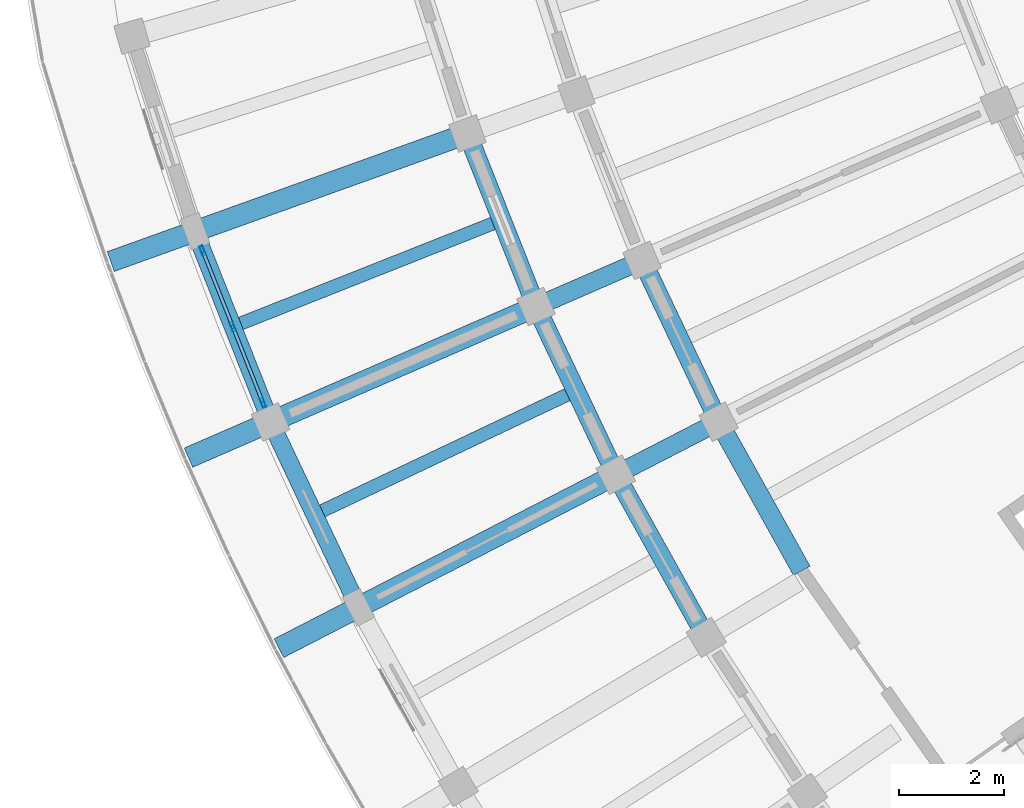
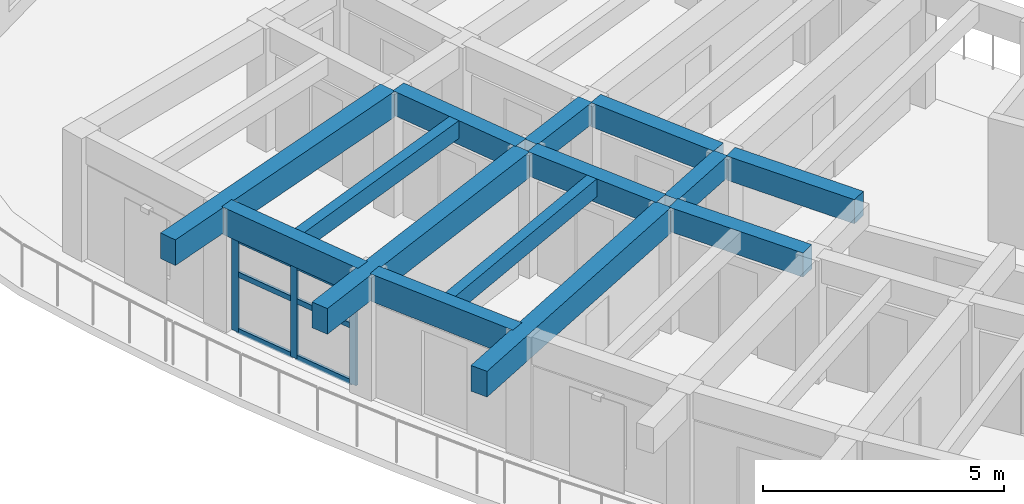
# One storey, part 7 of 81: 14 beams, 9 members, 1 element without a shape of its own.
"""IFC4 building model written with IfcOpenShell, lengths in metres."""

from ifc_helpers import new_model, si_unit, direction, frame, origin, origin_2d, place, context, subcontext, project, spatial, rectangle, hollow_rectangle, extrude, material, material_profile, profile_set, type_object, element, aggregate, save


model = new_model("IFC4")

# Units and contexts
model_context = context("Model", 3, precision=1e-05, world=origin(), true_north=direction((0.0, 1.0)))
body_context = subcontext(model_context, "Body", "Model", "MODEL_VIEW")
ifc_project = project(units=[si_unit("LENGTHUNIT", "METRE"), si_unit("AREAUNIT", "SQUARE_METRE"), si_unit("VOLUMEUNIT", "CUBIC_METRE"), si_unit("PLANEANGLEUNIT", "RADIAN"), si_unit("MASSUNIT", "GRAM", prefix="KILO")], contexts=[model_context])

# Site, building, storey
site_placement = place(None, origin())
site = spatial("IfcSite", under=ifc_project, at=site_placement, CompositionType="ELEMENT")
building_placement = place(site_placement, origin())
building = spatial("IfcBuilding", under=site, at=building_placement, Name="Tanwirah Colonnade Gardens", CompositionType="ELEMENT")
storey_placement = place(building_placement, frame((0.0, 0.0, 18.919921875)))
storey = spatial("IfcBuildingStorey", under=building, at=storey_placement, Name="L05", CompositionType="ELEMENT", Elevation=18.919921875)

# Beams
ifc_material_1 = material(Name="Precast concrete C40/50", Category="concrete")
ifc_material_profile_1 = material_profile(ifc_material_1, rectangle(XDim=0.360107421875, YDim=0.610107421875, at=origin_2d()), Name="PC-BM 360x610")
ifc_profile_set_1 = profile_set([ifc_material_profile_1], Name="Precast concrete C40/50")
beam_type_1 = type_object("IfcBeamType", Name="BM-PC300", PredefinedType="BEAM", material=ifc_profile_set_1)
beam_1_placement = place(storey_placement, frame((14.184814453125, 46.09619140625, 2.80517578125), z_axis=(0.368527954052, -0.929616666741, 0.0), x_axis=(0.929616666741, 0.368527954052, 0.0)))
element("IfcBeam", 1, at=beam_1_placement, inside=storey, type_object=beam_type_1, Name="Block C L05 Circumferential Beam 1-R2", PredefinedType="BEAM", context=body_context, shape_type="SweptSolid", body=[
    extrude(rectangle(XDim=0.360107421875, YDim=0.610107421875, at=origin_2d()), origin(), (0.0, 0.0, 1.0), 3.23681640625),
])
beam_2_placement = place(storey_placement, frame((17.5146484375, 43.689453125, 2.80517578125), z_axis=(0.428520598641, -0.903532011907, 0.0), x_axis=(0.903532011907, 0.428520598641, 0.0)))
element("IfcBeam", 2, at=beam_2_placement, inside=storey, type_object=beam_type_1, Name="Block C L05 Circumferential Beam 2-R1", PredefinedType="BEAM", context=body_context, shape_type="SweptSolid", body=[
    extrude(rectangle(XDim=0.360107421875, YDim=0.610107421875, at=origin_2d()), origin(), (0.0, 0.0, 1.0), 3.093017578125),
])
beam_3_placement = place(storey_placement, frame((15.4970703125, 42.81201171875, 2.80517578125), z_axis=(0.428562893949, -0.903511951183, 0.0), x_axis=(0.903511951183, 0.428562893949, 0.0)))
element("IfcBeam", 3, at=beam_3_placement, inside=storey, type_object=beam_type_1, Name="Block C L05 Circumferential Beam 2-R2", PredefinedType="BEAM", context=body_context, shape_type="SweptSolid", body=[
    extrude(rectangle(XDim=0.360107421875, YDim=0.610107421875, at=origin_2d()), origin(), (0.0, 0.0, 1.0), 3.23681640625),
])
beam_4_placement = place(storey_placement, frame((18.9775390625, 40.628173828125, 2.80517578125), z_axis=(0.486708181837, -0.873564620239, 0.0), x_axis=(0.873564620239, 0.486708181837, 0.0)))
element("IfcBeam", 4, at=beam_4_placement, inside=storey, type_object=beam_type_1, Name="Block C L05 Circumferential Beam 3-R1", PredefinedType="BEAM", context=body_context, shape_type="SweptSolid", body=[
    extrude(rectangle(XDim=0.360107421875, YDim=0.610107421875, at=origin_2d()), origin(), (0.0, 0.0, 1.0), 3.093017578125),
])
beam_5_placement = place(storey_placement, frame((17.021728515625, 39.620849609375, 2.80517578125), z_axis=(0.486712025227, -0.873562478875, 0.0), x_axis=(0.873562478875, 0.486712025227, 0.0)))
element("IfcBeam", 5, at=beam_5_placement, inside=storey, type_object=beam_type_1, Name="Block C L05 Circumferential Beam 3-R2", PredefinedType="BEAM", context=body_context, shape_type="SweptSolid", body=[
    extrude(rectangle(XDim=0.360107421875, YDim=0.610107421875, at=origin_2d()), origin(), (0.0, 0.0, 1.0), 3.23681640625),
])
ifc_material_profile_2 = material_profile(ifc_material_1, rectangle(XDim=0.35009765625, YDim=0.550048828125, at=origin_2d()), Name="PC-BM 350x550")
ifc_profile_set_2 = profile_set([ifc_material_profile_2], Name="Precast concrete C40/50")
beam_type_2 = type_object("IfcBeamType", Name="BM-PC350A", PredefinedType="BEAM", material=ifc_profile_set_2)
beam_6_placement = place(storey_placement, frame((17.31298828125, 43.76513671875, 2.8349609375), z_axis=(-0.917025109963, -0.398829471952, 0.0), x_axis=(0.398829471952, -0.917025109963, 0.0)))
element("IfcBeam", 6, at=beam_6_placement, inside=storey, type_object=beam_type_2, Name="Block C L05 Corridor Tie Beam 2", PredefinedType="BEAM", context=body_context, shape_type="SweptSolid", body=[
    extrude(rectangle(XDim=0.35009765625, YDim=0.550048828125, at=origin_2d()), origin(), (0.0, 0.0, 1.0), 1.900146484375),
])
beam_7_placement = place(storey_placement, frame((18.77099609375, 40.690673828125, 2.8349609375), z_axis=(-0.888965044602, -0.457975053334, 0.0), x_axis=(0.457975053334, -0.888965044602, 0.0)))
element("IfcBeam", 7, at=beam_7_placement, inside=storey, type_object=beam_type_2, Name="Block C L05 Corridor Tie Beam 3", PredefinedType="BEAM", context=body_context, shape_type="SweptSolid", body=[
    extrude(rectangle(XDim=0.35009765625, YDim=0.550048828125, at=origin_2d()), origin(), (0.0, 0.0, 1.0), 1.89990234375),
])
ifc_material_2 = material(Name="Precast concrete C45/55", Category="concrete")
ifc_material_profile_3 = material_profile(ifc_material_2, rectangle(XDim=0.39990234375, YDim=0.64990234375, at=origin_2d()), Name="PC-BM 400x650")
ifc_profile_set_3 = profile_set([ifc_material_profile_3], Name="Precast concrete C45/55")
beam_type_3 = type_object("IfcBeamType", Name="BM-PC400", PredefinedType="BEAM", material=ifc_profile_set_3)
for number, where, z_axis, x_axis, name in (
    (8, (13.98828125, 46.184814453125, 2.78515625), (-0.941174903614, -0.337919814168, 0.0), (0.337919814168, -0.941174903614, 0.0), "Block C L05 Outer Radial Precast Girder 1"),
    (9, (15.29541015625, 42.8876953125, 2.78515625), (-0.91706895514, -0.398728643965, 0.0), (0.398728643965, -0.91706895514, 0.0), "Block C L05 Outer Radial Precast Girder 2"),
    (10, (16.815185546875, 39.683349609375, 2.78515625), (-0.889016420099, -0.457875315774, 0.0), (0.457875315774, -0.889016420099, 0.0), "Block C L05 Outer Radial Precast Girder 3"),
):
    element("IfcBeam", number, at=place(storey_placement, frame(where, z_axis=z_axis, x_axis=x_axis)), inside=storey, type_object=beam_type_3, Name=name, PredefinedType="BEAM", context=body_context, shape_type="SweptSolid", body=[
        extrude(rectangle(XDim=0.39990234375, YDim=0.64990234375, at=origin_2d()), origin(), (0.0, 0.0, 1.0), 7.050048828125),
    ])

# Curtain wall, members
ifc_material_3 = material(Name="Bronze-anodised aluminium and solar-control low-E glass", Category="aluminium")
curtain_wall_type = type_object("IfcCurtainWallType", Name="CW-LOB", PredefinedType="NOTDEFINED", material=ifc_material_3)
curtain_wall_placement = place(storey_placement, origin())
curtain_wall = element("IfcCurtainWall", 11, at=curtain_wall_placement, inside=storey, type_object=curtain_wall_type, Name="Curtain Wall CW-C-L05-OUT-01", PredefinedType="NOTDEFINED")
ifc_material_4 = material(Name="Bronze-anodised aluminium", Category="aluminium")
ifc_material_profile_4 = material_profile(ifc_material_4, hollow_rectangle(XDim=0.06494140625, YDim=0.179931640625, WallThickness=0.00390625, at=origin_2d()), Name="CW-MUL 65x180x4")
ifc_profile_set_4 = profile_set([ifc_material_profile_4], Name="Bronze-anodised aluminium")
member_type_1 = type_object("IfcMemberType", Name="CWM-65x180", PredefinedType="MULLION", material=ifc_profile_set_4)
member_1_placement = place(storey_placement, frame((9.09765625, 44.01220703125, 0.0), z_axis=(0.0, 0.0, 1.0), x_axis=(0.929616338627, 0.368528781723, 0.0)))
member_1 = element("IfcMember", 12, at=member_1_placement, type_object=member_type_1, Name="CW-LOB mullion 1", PredefinedType="MULLION", context=body_context, shape_type="SweptSolid", body=[
    extrude(hollow_rectangle(XDim=0.06494140625, YDim=0.179931640625, WallThickness=0.00390625, at=origin_2d()), origin(), (0.0, 0.0, 1.0), 2.35498046875),
])
member_2_placement = place(storey_placement, frame((9.6708984375, 42.565673828125, 0.0), z_axis=(0.0, 0.0, 1.0), x_axis=(0.929616338627, 0.368528781723, 0.0)))
member_2 = element("IfcMember", 13, at=member_2_placement, type_object=member_type_1, Name="CW-LOB mullion 2", PredefinedType="MULLION", context=body_context, shape_type="SweptSolid", body=[
    extrude(hollow_rectangle(XDim=0.06494140625, YDim=0.179931640625, WallThickness=0.00390625, at=origin_2d()), origin(), (0.0, 0.0, 1.0), 2.35498046875),
])
member_3_placement = place(storey_placement, frame((10.244384765625, 41.119384765625, 0.0), z_axis=(0.0, 0.0, 1.0), x_axis=(0.929616338627, 0.368528781723, 0.0)))
member_3 = element("IfcMember", 14, at=member_3_placement, type_object=member_type_1, Name="CW-LOB mullion 3", PredefinedType="MULLION", context=body_context, shape_type="SweptSolid", body=[
    extrude(hollow_rectangle(XDim=0.06494140625, YDim=0.179931640625, WallThickness=0.00390625, at=origin_2d()), origin(), (0.0, 0.0, 1.0), 2.35498046875),
])
ifc_material_profile_5 = material_profile(ifc_material_4, hollow_rectangle(XDim=0.06494140625, YDim=0.135009765625, WallThickness=0.00390625, at=origin_2d()), Name="CW-TRN 65x135x4")
ifc_profile_set_5 = profile_set([ifc_material_profile_5], Name="Bronze-anodised aluminium")
member_type_2 = type_object("IfcMemberType", Name="CWT-65x135", PredefinedType="USERDEFINED", material=ifc_profile_set_5)
member_4_placement = place(storey_placement, frame((9.109619140625, 43.98193359375, 0.032470703125), z_axis=(0.368452492732, -0.929646578329, 0.0), x_axis=(0.929646578329, 0.368452492732, 0.0)))
member_4 = element("IfcMember", 15, at=member_4_placement, type_object=member_type_2, Name="CW-LOB transom 1.1", ObjectType="TRANSOM", PredefinedType="USERDEFINED", context=body_context, shape_type="SweptSolid", body=[
    extrude(hollow_rectangle(XDim=0.06494140625, YDim=0.135009765625, WallThickness=0.00390625, at=origin_2d()), origin(), (0.0, 0.0, 1.0), 1.490966796875),
])
member_5_placement = place(storey_placement, frame((9.109619140625, 43.98193359375, 1.460205078125), z_axis=(0.368452492732, -0.929646578329, 0.0), x_axis=(0.929646578329, 0.368452492732, 0.0)))
member_5 = element("IfcMember", 16, at=member_5_placement, type_object=member_type_2, Name="CW-LOB transom 1.2", ObjectType="TRANSOM", PredefinedType="USERDEFINED", context=body_context, shape_type="SweptSolid", body=[
    extrude(hollow_rectangle(XDim=0.06494140625, YDim=0.135009765625, WallThickness=0.00390625, at=origin_2d()), origin(), (0.0, 0.0, 1.0), 1.490966796875),
])
member_6_placement = place(storey_placement, frame((9.109619140625, 43.98193359375, 2.322509765625), z_axis=(0.368452492732, -0.929646578329, 0.0), x_axis=(0.929646578329, 0.368452492732, 0.0)))
member_6 = element("IfcMember", 17, at=member_6_placement, type_object=member_type_2, Name="CW-LOB transom 1.3", ObjectType="TRANSOM", PredefinedType="USERDEFINED", context=body_context, shape_type="SweptSolid", body=[
    extrude(hollow_rectangle(XDim=0.06494140625, YDim=0.135009765625, WallThickness=0.00390625, at=origin_2d()), origin(), (0.0, 0.0, 1.0), 1.490966796875),
])
member_7_placement = place(storey_placement, frame((9.68310546875, 42.53564453125, 0.032470703125), z_axis=(0.368452492732, -0.929646578329, 0.0), x_axis=(0.929646578329, 0.368452492732, 0.0)))
member_7 = element("IfcMember", 18, at=member_7_placement, type_object=member_type_2, Name="CW-LOB transom 2.1", ObjectType="TRANSOM", PredefinedType="USERDEFINED", context=body_context, shape_type="SweptSolid", body=[
    extrude(hollow_rectangle(XDim=0.06494140625, YDim=0.135009765625, WallThickness=0.00390625, at=origin_2d()), origin(), (0.0, 0.0, 1.0), 1.490966796875),
])
member_8_placement = place(storey_placement, frame((9.68310546875, 42.53564453125, 1.460205078125), z_axis=(0.368452492732, -0.929646578329, 0.0), x_axis=(0.929646578329, 0.368452492732, 0.0)))
member_8 = element("IfcMember", 19, at=member_8_placement, type_object=member_type_2, Name="CW-LOB transom 2.2", ObjectType="TRANSOM", PredefinedType="USERDEFINED", context=body_context, shape_type="SweptSolid", body=[
    extrude(hollow_rectangle(XDim=0.06494140625, YDim=0.135009765625, WallThickness=0.00390625, at=origin_2d()), origin(), (0.0, 0.0, 1.0), 1.490966796875),
])
member_9_placement = place(storey_placement, frame((9.68310546875, 42.53564453125, 2.322509765625), z_axis=(0.368452492732, -0.929646578329, 0.0), x_axis=(0.929646578329, 0.368452492732, 0.0)))
member_9 = element("IfcMember", 20, at=member_9_placement, type_object=member_type_2, Name="CW-LOB transom 2.3", ObjectType="TRANSOM", PredefinedType="USERDEFINED", context=body_context, shape_type="SweptSolid", body=[
    extrude(hollow_rectangle(XDim=0.06494140625, YDim=0.135009765625, WallThickness=0.00390625, at=origin_2d()), origin(), (0.0, 0.0, 1.0), 1.490966796875),
])
aggregate(curtain_wall, [member_1, member_2, member_3, member_4, member_5, member_6, member_7, member_8, member_9])

# Beams
ifc_material_profile_6 = material_profile(ifc_material_1, rectangle(XDim=0.25, YDim=0.449951171875, at=origin_2d()), Name="PC-JST 250x450")
ifc_profile_set_6 = profile_set([ifc_material_profile_6], Name="Precast concrete C40/50")
beam_type_4 = type_object("IfcBeamType", Name="JST-PC250", PredefinedType="JOIST", material=ifc_profile_set_6)
for number, where, z_axis, x_axis, name in (
    (21, (14.642822265625, 44.53662109375, 2.885009765625), (-0.929618207145, -0.368524068338, 0.0), (0.368524068338, -0.929618207145, 0.0), "Block C L05 Precast Floor Joist 1"),
    (22, (16.05615234375, 41.285888671875, 2.885009765625), (-0.903517509842, -0.428551174785, 0.0), (0.428551174785, -0.903517509842, 0.0), "Block C L05 Precast Floor Joist 2"),
):
    element("IfcBeam", number, at=place(storey_placement, frame(where, z_axis=z_axis, x_axis=x_axis)), inside=storey, type_object=beam_type_4, Name=name, PredefinedType="JOIST", context=body_context, shape_type="SweptSolid", body=[
        extrude(rectangle(XDim=0.25, YDim=0.449951171875, at=origin_2d()), origin(), (0.0, 0.0, 1.0), 5.260009765625),
    ])
ifc_material_profile_7 = material_profile(ifc_material_1, rectangle(XDim=0.330078125, YDim=0.68994140625, at=origin_2d()), Name="PC-SP 330x690")
ifc_profile_set_7 = profile_set([ifc_material_profile_7], Name="Precast concrete C40/50")
beam_type_5 = type_object("IfcBeamType", Name="SP-PC280", PredefinedType="SPANDREL", material=ifc_profile_set_7)
for number, where, z_axis, x_axis, name in (
    (23, (9.00830078125, 44.237548828125, 2.76513671875), (0.368521552478, -0.929619204491, 0.0), (0.929619204491, 0.368521552478, 0.0), "Block C L05 Circumferential Beam 1-R3"),
    (24, (10.453369140625, 40.618896484375, 2.76513671875), (0.428518139447, -0.903533178231, 0.0), (0.903533178231, 0.428518139447, 0.0), "Block C L05 Circumferential Beam 2-R3"),
):
    element("IfcBeam", number, at=place(storey_placement, frame(where, z_axis=z_axis, x_axis=x_axis)), inside=storey, type_object=beam_type_5, Name=name, PredefinedType="SPANDREL", context=body_context, shape_type="SweptSolid", body=[
        extrude(rectangle(XDim=0.330078125, YDim=0.68994140625, at=origin_2d()), origin(), (0.0, 0.0, 1.0), 3.5966796875),
    ])

save(model, "model.ifc")
